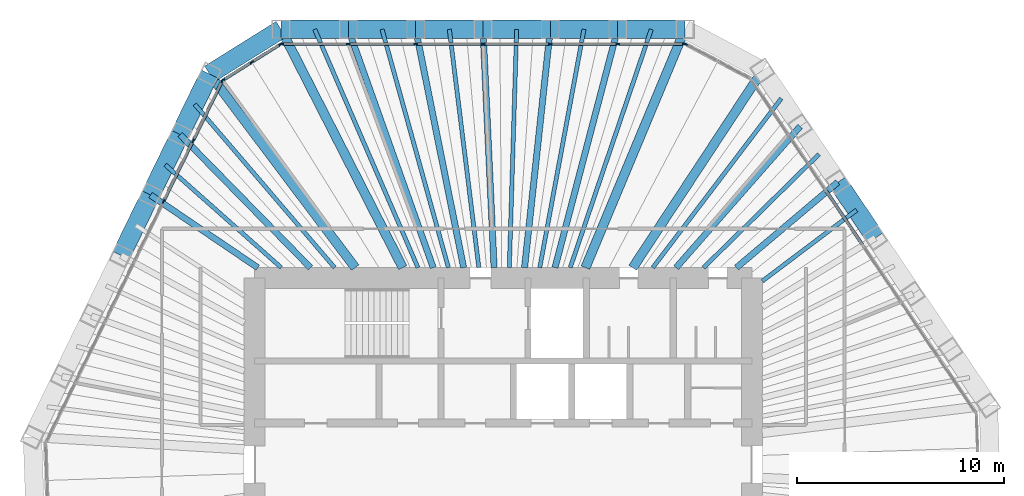
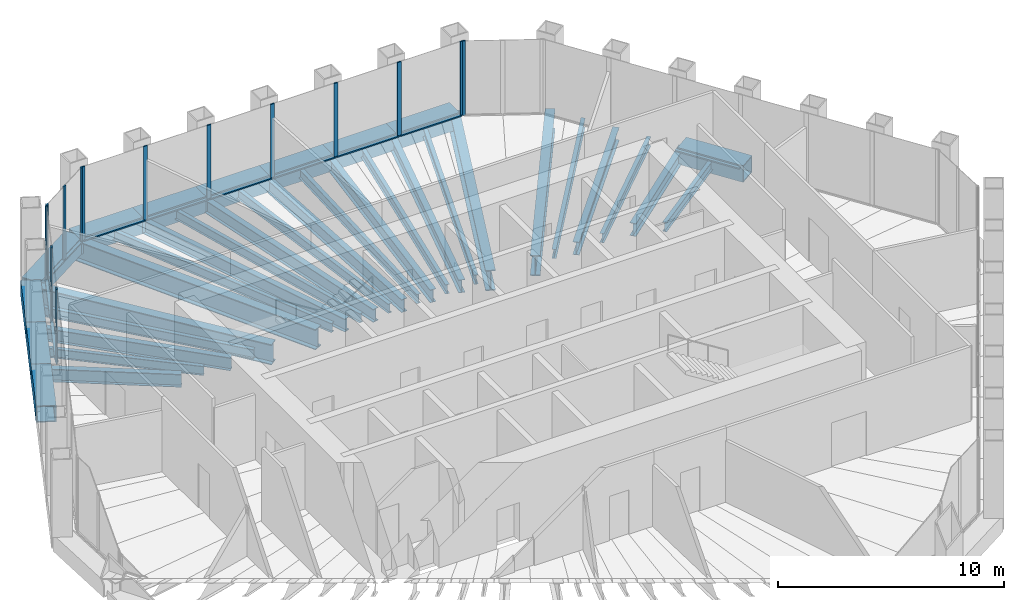
# One storey, part 7 of 14: 35 beams, 25 members, 5 elements without a shape of their own.
"""IFC4 building model written with IfcOpenShell, lengths in metres."""

from ifc_helpers import new_model, si_unit, direction, frame, origin, origin_2d, place, context, subcontext, project, spatial, rectangle, hollow_rectangle, i_section, extrude, material, material_profile, profile_set, type_object, element, aggregate, save


model = new_model("IFC4")

# Units and contexts
model_context = context("Model", 3, precision=1e-05, world=origin(), true_north=direction((0.0, 1.0)))
body_context = subcontext(model_context, "Body", "Model", "MODEL_VIEW")
ifc_project = project(units=[si_unit("LENGTHUNIT", "METRE"), si_unit("AREAUNIT", "SQUARE_METRE"), si_unit("VOLUMEUNIT", "CUBIC_METRE"), si_unit("PLANEANGLEUNIT", "RADIAN"), si_unit("MASSUNIT", "GRAM", prefix="KILO")], contexts=[model_context])

# Site, building, storey
site_placement = place(None, origin())
site = spatial("IfcSite", under=ifc_project, at=site_placement, CompositionType="ELEMENT")
building_placement = place(site_placement, origin())
building = spatial("IfcBuilding", under=site, at=building_placement, Name="Qingtian Harvest Tower", CompositionType="ELEMENT")
storey_placement = place(building_placement, frame((0.0, 0.0, 274.60009765625)))
storey = spatial("IfcBuildingStorey", under=building, at=storey_placement, Name="L60", CompositionType="ELEMENT", Elevation=274.60009765625)

# Beams
ifc_material_1 = material(Name="Steel SM570MC", Category="steel")
ifc_material_profile_1 = material_profile(ifc_material_1, i_section(OverallWidth=0.449951171875, OverallDepth=1.10009765625, WebThickness=0.02197265625, FlangeThickness=0.044921875, at=origin_2d()), Name="H1100x450x22x45")
ifc_profile_set_1 = profile_set([ifc_material_profile_1], Name="Steel SM570MC")
beam_type_1 = type_object("IfcBeamType", Name="Corner floor beam FB8 H1100x450x22x45", PredefinedType="BEAM", material=ifc_profile_set_1)
beam_1_placement = place(storey_placement, frame((-10.72216796875, 21.0, -0.72021484375), z_axis=(0.454730568944, -0.890629052787, 0.0), x_axis=(0.890629052787, 0.454730568944, 0.0)))
element("IfcBeam", 1, at=beam_1_placement, inside=storey, type_object=beam_type_1, Name="Floor beam FB8 N0", PredefinedType="BEAM", context=body_context, shape_type="SweptSolid", body=[
    extrude(i_section(OverallWidth=0.449951171875, OverallDepth=1.10009765625, WebThickness=0.02197265625, FlangeThickness=0.044921875, at=origin_2d()), origin(), (0.0, 0.0, 1.0), 12.912109375),
])
beam_2_placement = place(storey_placement, frame((8.765869140625, 21.0, -0.72021484375), z_axis=(-0.385205133264, -0.922830973313, 0.0), x_axis=(0.922830973313, -0.385205133264, 0.0)))
element("IfcBeam", 2, at=beam_2_placement, inside=storey, type_object=beam_type_1, Name="Floor beam FB8 N6", PredefinedType="BEAM", context=body_context, shape_type="SweptSolid", body=[
    extrude(i_section(OverallWidth=0.449951171875, OverallDepth=1.10009765625, WebThickness=0.02197265625, FlangeThickness=0.044921875, at=origin_2d()), origin(), (0.0, 0.0, 1.0), 12.461669921875),
])
beam_3_placement = place(storey_placement, frame((12.508056640625, 19.01025390625, -0.72021484375), z_axis=(-0.549666916329, -0.835383912398, 0.0), x_axis=(0.835383912398, -0.549666916329, 0.0)))
element("IfcBeam", 3, at=beam_3_placement, inside=storey, type_object=beam_type_1, Name="Floor beam FB8 NE0", PredefinedType="BEAM", context=body_context, shape_type="SweptSolid", body=[
    extrude(i_section(OverallWidth=0.449951171875, OverallDepth=1.10009765625, WebThickness=0.02197265625, FlangeThickness=0.044921875, at=origin_2d()), origin(), (0.0, 0.0, 1.0), 11.38427734375),
])
beam_4_placement = place(storey_placement, frame((-14.17431640625, 18.8427734375, -0.72021484375), z_axis=(0.601148761641, -0.799137138655, 0.0), x_axis=(0.799137138655, 0.601148761641, 0.0)))
element("IfcBeam", 4, at=beam_4_placement, inside=storey, type_object=beam_type_1, Name="Floor beam FB8 NW6", PredefinedType="BEAM", context=body_context, shape_type="SweptSolid", body=[
    extrude(i_section(OverallWidth=0.449951171875, OverallDepth=1.10009765625, WebThickness=0.02197265625, FlangeThickness=0.044921875, at=origin_2d()), origin(), (0.0, 0.0, 1.0), 11.691162109375),
])
ifc_material_2 = material(Name="Steel SN490B", Category="steel")
ifc_material_profile_2 = material_profile(ifc_material_2, i_section(OverallWidth=0.300048828125, OverallDepth=0.699951171875, WebThickness=0.012939453125, FlangeThickness=0.02392578125, at=origin_2d()), Name="H700x300x13x24")
ifc_profile_set_2 = profile_set([ifc_material_profile_2], Name="Steel SN490B")
beam_type_2 = type_object("IfcBeamType", Name="Floor beam FB4 H700x300x13x24", PredefinedType="BEAM", material=ifc_profile_set_2)
beam_5_placement = place(storey_placement, frame((-7.47412109375, 21.0, -0.52001953125), z_axis=(0.335309922571, -0.94210787908, 0.0), x_axis=(0.94210787908, 0.335309922571, 0.0)))
element("IfcBeam", 5, at=beam_5_placement, inside=storey, type_object=beam_type_2, Name="Floor beam FB4 N1", PredefinedType="BEAM", context=body_context, shape_type="SweptSolid", body=[
    extrude(i_section(OverallWidth=0.300048828125, OverallDepth=0.699951171875, WebThickness=0.012939453125, FlangeThickness=0.02392578125, at=origin_2d()), origin(), (0.0, 0.0, 1.0), 12.206787109375),
])
beam_6_placement = place(storey_placement, frame((-4.226318359375, 21.0, -0.52001953125), z_axis=(0.197300692693, -0.980343019898, 0.0), x_axis=(0.980343019898, 0.197300692693, 0.0)))
element("IfcBeam", 6, at=beam_6_placement, inside=storey, type_object=beam_type_2, Name="Floor beam FB4 N2", PredefinedType="BEAM", context=body_context, shape_type="SweptSolid", body=[
    extrude(i_section(OverallWidth=0.300048828125, OverallDepth=0.699951171875, WebThickness=0.012939453125, FlangeThickness=0.02392578125, at=origin_2d()), origin(), (0.0, 0.0, 1.0), 11.73046875),
])
beam_7_placement = place(storey_placement, frame((-0.978271484375, 21.0, -0.52001953125), z_axis=(0.046527342366, -0.99891701678, 0.0), x_axis=(0.99891701678, 0.046527342366, 0.0)))
element("IfcBeam", 7, at=beam_7_placement, inside=storey, type_object=beam_type_2, Name="Floor beam FB4 N3", PredefinedType="BEAM", context=body_context, shape_type="SweptSolid", body=[
    extrude(i_section(OverallWidth=0.300048828125, OverallDepth=0.699951171875, WebThickness=0.012939453125, FlangeThickness=0.02392578125, at=origin_2d()), origin(), (0.0, 0.0, 1.0), 11.512451171875),
])
beam_8_placement = place(storey_placement, frame((2.269775390625, 21.0, -0.52001953125), z_axis=(-0.107454213734, -0.994210034123, 0.0), x_axis=(0.994210034123, -0.107454213734, 0.0)))
element("IfcBeam", 8, at=beam_8_placement, inside=storey, type_object=beam_type_2, Name="Floor beam FB4 N4", PredefinedType="BEAM", context=body_context, shape_type="SweptSolid", body=[
    extrude(i_section(OverallWidth=0.300048828125, OverallDepth=0.699951171875, WebThickness=0.012939453125, FlangeThickness=0.02392578125, at=origin_2d()), origin(), (0.0, 0.0, 1.0), 11.56689453125),
])
beam_9_placement = place(storey_placement, frame((5.517822265625, 21.0, -0.52001953125), z_axis=(-0.254132470973, -0.967169420111, 0.0), x_axis=(0.967169420111, -0.254132470973, 0.0)))
element("IfcBeam", 9, at=beam_9_placement, inside=storey, type_object=beam_type_2, Name="Floor beam FB4 N5", PredefinedType="BEAM", context=body_context, shape_type="SweptSolid", body=[
    extrude(i_section(OverallWidth=0.300048828125, OverallDepth=0.699951171875, WebThickness=0.012939453125, FlangeThickness=0.02392578125, at=origin_2d()), origin(), (0.0, 0.0, 1.0), 11.890380859375),
])
beam_10_placement = place(storey_placement, frame((14.32421875, 16.317626953125, -0.52001953125), z_axis=(-0.659702205655, -0.751527111856, 0.0), x_axis=(0.751527111856, -0.659702205655, 0.0)))
element("IfcBeam", 10, at=beam_10_placement, inside=storey, type_object=beam_type_2, Name="Floor beam FB4 NE1", PredefinedType="BEAM", context=body_context, shape_type="SweptSolid", body=[
    extrude(i_section(OverallWidth=0.300048828125, OverallDepth=0.699951171875, WebThickness=0.012939453125, FlangeThickness=0.02392578125, at=origin_2d()), origin(), (0.0, 0.0, 1.0), 9.07177734375),
])
beam_11_placement = place(storey_placement, frame((16.140625, 13.624755859375, -0.52001953125), z_axis=(-0.764153276603, -0.645034704382, 0.0), x_axis=(0.645034704382, -0.764153276603, 0.0)))
element("IfcBeam", 11, at=beam_11_placement, inside=storey, type_object=beam_type_2, Name="Floor beam FB4 NE2", PredefinedType="BEAM", context=body_context, shape_type="SweptSolid", body=[
    extrude(i_section(OverallWidth=0.300048828125, OverallDepth=0.699951171875, WebThickness=0.012939453125, FlangeThickness=0.02392578125, at=origin_2d()), origin(), (0.0, 0.0, 1.0), 6.39453125),
])
beam_12_placement = place(storey_placement, frame((-17.02197265625, 13.00439453125, -0.52001953125), z_axis=(0.827854296295, -0.560943191514, 0.0), x_axis=(0.560943191514, 0.827854296295, 0.0)))
element("IfcBeam", 12, at=beam_12_placement, inside=storey, type_object=beam_type_2, Name="Floor beam FB4 NW4", PredefinedType="BEAM", context=body_context, shape_type="SweptSolid", body=[
    extrude(i_section(OverallWidth=0.300048828125, OverallDepth=0.699951171875, WebThickness=0.012939453125, FlangeThickness=0.02392578125, at=origin_2d()), origin(), (0.0, 0.0, 1.0), 6.247314453125),
])
beam_13_placement = place(storey_placement, frame((-15.59814453125, 15.923583984375, -0.52001953125), z_axis=(0.699765413715, -0.714372707883, 0.0), x_axis=(0.714372707883, 0.699765413715, 0.0)))
element("IfcBeam", 13, at=beam_13_placement, inside=storey, type_object=beam_type_2, Name="Floor beam FB4 NW5", PredefinedType="BEAM", context=body_context, shape_type="SweptSolid", body=[
    extrude(i_section(OverallWidth=0.300048828125, OverallDepth=0.699951171875, WebThickness=0.012939453125, FlangeThickness=0.02392578125, at=origin_2d()), origin(), (0.0, 0.0, 1.0), 8.991943359375),
])
ifc_material_3 = material(Name="Steel SN490B", Category="steel")
ifc_material_profile_3 = material_profile(ifc_material_3, i_section(OverallWidth=0.199951171875, OverallDepth=0.5, WebThickness=0.010009765625, FlangeThickness=0.01611328125, at=origin_2d()), Name="H500x200x10x16")
ifc_profile_set_3 = profile_set([ifc_material_profile_3], Name="Steel SN490B")
beam_type_3 = type_object("IfcBeamType", Name="Floor joist J3 H500x200x10x16", PredefinedType="JOIST", material=ifc_profile_set_3)
beam_14_placement = place(storey_placement, frame((-9.09814453125, 21.0, -0.420166015625), z_axis=(0.397529807491, -0.917589261138, 0.0), x_axis=(0.917589261138, 0.397529807491, 0.0)))
element("IfcBeam", 14, at=beam_14_placement, inside=storey, type_object=beam_type_3, Name="Floor joist J3 N0", PredefinedType="JOIST", context=body_context, shape_type="SweptSolid", body=[
    extrude(i_section(OverallWidth=0.199951171875, OverallDepth=0.5, WebThickness=0.010009765625, FlangeThickness=0.01611328125, at=origin_2d()), origin(), (0.0, 0.0, 1.0), 12.532958984375),
])
beam_15_placement = place(storey_placement, frame((-5.85009765625, 21.0, -0.420166015625), z_axis=(0.268356818155, -0.963319582563, 0.0), x_axis=(0.963319582563, 0.268356818155, 0.0)))
element("IfcBeam", 15, at=beam_15_placement, inside=storey, type_object=beam_type_3, Name="Floor joist J3 N1", PredefinedType="JOIST", context=body_context, shape_type="SweptSolid", body=[
    extrude(i_section(OverallWidth=0.199951171875, OverallDepth=0.5, WebThickness=0.010009765625, FlangeThickness=0.01611328125, at=origin_2d()), origin(), (0.0, 0.0, 1.0), 11.93798828125),
])
beam_16_placement = place(storey_placement, frame((-2.602294921875, 21.0, -0.420166015625), z_axis=(0.122976702395, -0.992409557929, 0.0), x_axis=(0.992409557929, 0.122976702395, 0.0)))
element("IfcBeam", 16, at=beam_16_placement, inside=storey, type_object=beam_type_3, Name="Floor joist J3 N2", PredefinedType="JOIST", context=body_context, shape_type="SweptSolid", body=[
    extrude(i_section(OverallWidth=0.199951171875, OverallDepth=0.5, WebThickness=0.010009765625, FlangeThickness=0.01611328125, at=origin_2d()), origin(), (0.0, 0.0, 1.0), 11.587890625),
])
beam_17_placement = place(storey_placement, frame((0.645751953125, 21.0, -0.420166015625), z_axis=(-0.030725974878, -0.999527845769, 0.0), x_axis=(0.999527845769, -0.030725974878, 0.0)))
element("IfcBeam", 17, at=beam_17_placement, inside=storey, type_object=beam_type_3, Name="Floor joist J3 N3", PredefinedType="JOIST", context=body_context, shape_type="SweptSolid", body=[
    extrude(i_section(OverallWidth=0.199951171875, OverallDepth=0.5, WebThickness=0.010009765625, FlangeThickness=0.01611328125, at=origin_2d()), origin(), (0.0, 0.0, 1.0), 11.50537109375),
])
beam_18_placement = place(storey_placement, frame((3.893798828125, 21.0, -0.420166015625), z_axis=(-0.182312001941, -0.983240730416, 0.0), x_axis=(0.983240730416, -0.182312001941, 0.0)))
element("IfcBeam", 18, at=beam_18_placement, inside=storey, type_object=beam_type_3, Name="Floor joist J3 N4", PredefinedType="JOIST", context=body_context, shape_type="SweptSolid", body=[
    extrude(i_section(OverallWidth=0.199951171875, OverallDepth=0.5, WebThickness=0.010009765625, FlangeThickness=0.01611328125, at=origin_2d()), origin(), (0.0, 0.0, 1.0), 11.696044921875),
])
beam_19_placement = place(storey_placement, frame((7.141845703125, 21.0, -0.420166015625), z_axis=(-0.321968312345, -0.94675044539, 0.0), x_axis=(0.94675044539, -0.321968312345, 0.0)))
element("IfcBeam", 19, at=beam_19_placement, inside=storey, type_object=beam_type_3, Name="Floor joist J3 N5", PredefinedType="JOIST", context=body_context, shape_type="SweptSolid", body=[
    extrude(i_section(OverallWidth=0.199951171875, OverallDepth=0.5, WebThickness=0.010009765625, FlangeThickness=0.01611328125, at=origin_2d()), origin(), (0.0, 0.0, 1.0), 12.146728515625),
])
beam_20_placement = place(storey_placement, frame((13.416015625, 17.6640625, -0.420166015625), z_axis=(-0.604835675798, -0.796350303122, 0.0), x_axis=(0.796350303122, -0.604835675798, 0.0)))
element("IfcBeam", 20, at=beam_20_placement, inside=storey, type_object=beam_type_3, Name="Floor joist J3 NE0", PredefinedType="JOIST", context=body_context, shape_type="SweptSolid", body=[
    extrude(i_section(OverallWidth=0.199951171875, OverallDepth=0.5, WebThickness=0.010009765625, FlangeThickness=0.01611328125, at=origin_2d()), origin(), (0.0, 0.0, 1.0), 10.251953125),
])
beam_21_placement = place(storey_placement, frame((15.232421875, 14.97119140625, -0.420166015625), z_axis=(-0.713195408707, -0.700965269467, 0.0), x_axis=(0.700965269467, -0.713195408707, 0.0)))
element("IfcBeam", 21, at=beam_21_placement, inside=storey, type_object=beam_type_3, Name="Floor joist J3 NE1", PredefinedType="JOIST", context=body_context, shape_type="SweptSolid", body=[
    extrude(i_section(OverallWidth=0.199951171875, OverallDepth=0.5, WebThickness=0.010009765625, FlangeThickness=0.01611328125, at=origin_2d()), origin(), (0.0, 0.0, 1.0), 7.80517578125),
])
beam_22_placement = place(storey_placement, frame((17.048583984375, 12.278564453125, -0.420166015625), z_axis=(-0.79856269076, -0.601911645448, 0.0), x_axis=(0.601911645448, -0.79856269076, 0.0)))
element("IfcBeam", 22, at=beam_22_placement, inside=storey, type_object=beam_type_3, Name="Floor joist J3 NE2", PredefinedType="JOIST", context=body_context, shape_type="SweptSolid", body=[
    extrude(i_section(OverallWidth=0.199951171875, OverallDepth=0.5, WebThickness=0.010009765625, FlangeThickness=0.01611328125, at=origin_2d()), origin(), (0.0, 0.0, 1.0), 5.696044921875),
])
beam_23_placement = place(storey_placement, frame((-16.31005859375, 14.4638671875, -0.420166015625), z_axis=(0.748179407524, -0.663496476372, 0.0), x_axis=(0.663496476372, 0.748179407524, 0.0)))
element("IfcBeam", 23, at=beam_23_placement, inside=storey, type_object=beam_type_3, Name="Floor joist J3 NW4", PredefinedType="JOIST", context=body_context, shape_type="SweptSolid", body=[
    extrude(i_section(OverallWidth=0.199951171875, OverallDepth=0.5, WebThickness=0.010009765625, FlangeThickness=0.01611328125, at=origin_2d()), origin(), (0.0, 0.0, 1.0), 7.4814453125),
])
beam_24_placement = place(storey_placement, frame((-14.88623046875, 17.38330078125, -0.420166015625), z_axis=(0.650436795804, -0.7595603825, 0.0), x_axis=(0.7595603825, 0.650436795804, 0.0)))
element("IfcBeam", 24, at=beam_24_placement, inside=storey, type_object=beam_type_3, Name="Floor joist J3 NW5", PredefinedType="JOIST", context=body_context, shape_type="SweptSolid", body=[
    extrude(i_section(OverallWidth=0.199951171875, OverallDepth=0.5, WebThickness=0.010009765625, FlangeThickness=0.01611328125, at=origin_2d()), origin(), (0.0, 0.0, 1.0), 10.378662109375),
])

# Curtain wall, members
ifc_material_4 = material(Name="Bronze-anodised aluminium curtain wall", Category="aluminium")
curtain_wall_type = type_object("IfcCurtainWallType", Name="Curtain wall CW5 upper office", PredefinedType="USERDEFINED", material=ifc_material_4)
curtain_wall_1_placement = place(storey_placement, origin())
curtain_wall_1 = element("IfcCurtainWall", 25, at=curtain_wall_1_placement, inside=storey, type_object=curtain_wall_type, Name="Curtain wall CW5 L60 N0-5", ObjectType="RECESSED CURTAIN WALL", PredefinedType="USERDEFINED")
ifc_material_5 = material(Name="Bronze-anodised aluminium mullion", Category="aluminium")
ifc_material_profile_4 = material_profile(ifc_material_5, rectangle(XDim=0.06494140625, YDim=0.199951171875, at=origin_2d()), Name="AL 65x200")
ifc_profile_set_4 = profile_set([ifc_material_profile_4], Name="Bronze-anodised aluminium mullion")
member_type_1 = type_object("IfcMemberType", Name="Mullion CWM 65x200", PredefinedType="MULLION", material=ifc_profile_set_4)
member_1_placement = place(storey_placement, frame((-10.689697265625, 20.300048828125, 0.0), z_axis=(0.0, 0.0, 1.0), x_axis=(0.0, 1.0, 0.0)))
member_1 = element("IfcMember", 26, at=member_1_placement, type_object=member_type_1, Name="CW5 mullion 1", PredefinedType="MULLION", context=body_context, shape_type="SweptSolid", body=[
    extrude(rectangle(XDim=0.06494140625, YDim=0.199951171875, at=origin_2d()), origin(), (0.0, 0.0, 1.0), 4.02978515625),
])
member_2_placement = place(storey_placement, frame((-7.47412109375, 20.300048828125, 0.0), z_axis=(0.0, 0.0, 1.0), x_axis=(0.0, 1.0, 0.0)))
member_2 = element("IfcMember", 27, at=member_2_placement, type_object=member_type_1, Name="CW5 mullion 2", PredefinedType="MULLION", context=body_context, shape_type="SweptSolid", body=[
    extrude(rectangle(XDim=0.06494140625, YDim=0.199951171875, at=origin_2d()), origin(), (0.0, 0.0, 1.0), 4.02978515625),
])
member_3_placement = place(storey_placement, frame((-4.226318359375, 20.300048828125, 0.0), z_axis=(0.0, 0.0, 1.0), x_axis=(0.0, 1.0, 0.0)))
member_3 = element("IfcMember", 28, at=member_3_placement, type_object=member_type_1, Name="CW5 mullion 3", PredefinedType="MULLION", context=body_context, shape_type="SweptSolid", body=[
    extrude(rectangle(XDim=0.06494140625, YDim=0.199951171875, at=origin_2d()), origin(), (0.0, 0.0, 1.0), 4.02978515625),
])
member_4_placement = place(storey_placement, frame((-0.978271484375, 20.300048828125, 0.0), z_axis=(0.0, 0.0, 1.0), x_axis=(0.0, 1.0, 0.0)))
member_4 = element("IfcMember", 29, at=member_4_placement, type_object=member_type_1, Name="CW5 mullion 4", PredefinedType="MULLION", context=body_context, shape_type="SweptSolid", body=[
    extrude(rectangle(XDim=0.06494140625, YDim=0.199951171875, at=origin_2d()), origin(), (0.0, 0.0, 1.0), 4.02978515625),
])
member_5_placement = place(storey_placement, frame((2.269775390625, 20.300048828125, 0.0), z_axis=(0.0, 0.0, 1.0), x_axis=(0.0, 1.0, 0.0)))
member_5 = element("IfcMember", 30, at=member_5_placement, type_object=member_type_1, Name="CW5 mullion 5", PredefinedType="MULLION", context=body_context, shape_type="SweptSolid", body=[
    extrude(rectangle(XDim=0.06494140625, YDim=0.199951171875, at=origin_2d()), origin(), (0.0, 0.0, 1.0), 4.02978515625),
])
member_6_placement = place(storey_placement, frame((5.517822265625, 20.300048828125, 0.0), z_axis=(0.0, 0.0, 1.0), x_axis=(0.0, 1.0, 0.0)))
member_6 = element("IfcMember", 31, at=member_6_placement, type_object=member_type_1, Name="CW5 mullion 6", PredefinedType="MULLION", context=body_context, shape_type="SweptSolid", body=[
    extrude(rectangle(XDim=0.06494140625, YDim=0.199951171875, at=origin_2d()), origin(), (0.0, 0.0, 1.0), 4.02978515625),
])
member_7_placement = place(storey_placement, frame((8.7333984375, 20.300048828125, 0.0), z_axis=(0.0, 0.0, 1.0), x_axis=(0.0, 1.0, 0.0)))
member_7 = element("IfcMember", 32, at=member_7_placement, type_object=member_type_1, Name="CW5 mullion 7", PredefinedType="MULLION", context=body_context, shape_type="SweptSolid", body=[
    extrude(rectangle(XDim=0.06494140625, YDim=0.199951171875, at=origin_2d()), origin(), (0.0, 0.0, 1.0), 4.02978515625),
])

# Curtain wall, member
curtain_wall_2_placement = place(storey_placement, origin())
curtain_wall_2 = element("IfcCurtainWall", 33, at=curtain_wall_2_placement, inside=storey, type_object=curtain_wall_type, Name="Curtain wall CW5 L60 NC", ObjectType="RECESSED CURTAIN WALL", PredefinedType="USERDEFINED")
member_8_placement = place(storey_placement, frame((8.794677734375, 20.28466796875, 0.0), z_axis=(0.0, 0.0, 1.0), x_axis=(0.469471562786, 0.882947592859, 0.0)))
member_8 = element("IfcMember", 34, at=member_8_placement, type_object=member_type_1, Name="CW5 mullion 1", PredefinedType="MULLION", context=body_context, shape_type="SweptSolid", body=[
    extrude(rectangle(XDim=0.06494140625, YDim=0.199951171875, at=origin_2d()), origin(), (0.0, 0.0, 1.0), 4.02978515625),
])
aggregate(curtain_wall_2, [member_8])

# Curtain wall, members
curtain_wall_3_placement = place(storey_placement, origin())
curtain_wall_3 = element("IfcCurtainWall", 35, at=curtain_wall_3_placement, inside=storey, type_object=curtain_wall_type, Name="Curtain wall CW5 L60 NW0-5", ObjectType="RECESSED CURTAIN WALL", PredefinedType="USERDEFINED")
member_9_placement = place(storey_placement, frame((-16.392822265625, 12.697509765625, 0.0), z_axis=(0.0, 0.0, 1.0), x_axis=(-0.898794046299, 0.438371146789, 0.0)))
member_9 = element("IfcMember", 36, at=member_9_placement, type_object=member_type_1, Name="CW5 mullion 5", PredefinedType="MULLION", context=body_context, shape_type="SweptSolid", body=[
    extrude(rectangle(XDim=0.06494140625, YDim=0.199951171875, at=origin_2d()), origin(), (0.0, 0.0, 1.0), 4.02978515625),
])
member_10_placement = place(storey_placement, frame((-14.968994140625, 15.61669921875, 0.0), z_axis=(0.0, 0.0, 1.0), x_axis=(-0.898794046299, 0.438371146789, 0.0)))
member_10 = element("IfcMember", 37, at=member_10_placement, type_object=member_type_1, Name="CW5 mullion 6", PredefinedType="MULLION", context=body_context, shape_type="SweptSolid", body=[
    extrude(rectangle(XDim=0.06494140625, YDim=0.199951171875, at=origin_2d()), origin(), (0.0, 0.0, 1.0), 4.02978515625),
])
member_11_placement = place(storey_placement, frame((-13.559326171875, 18.5068359375, 0.0), z_axis=(0.0, 0.0, 1.0), x_axis=(-0.898794046299, 0.438371146789, 0.0)))
member_11 = element("IfcMember", 38, at=member_11_placement, type_object=member_type_1, Name="CW5 mullion 7", PredefinedType="MULLION", context=body_context, shape_type="SweptSolid", body=[
    extrude(rectangle(XDim=0.06494140625, YDim=0.199951171875, at=origin_2d()), origin(), (0.0, 0.0, 1.0), 4.02978515625),
])

curtain_wall_4_placement = place(storey_placement, origin())
curtain_wall_4 = element("IfcCurtainWall", 39, at=curtain_wall_4_placement, inside=storey, type_object=curtain_wall_type, Name="Curtain wall CW5 L60 NWC", ObjectType="RECESSED CURTAIN WALL", PredefinedType="USERDEFINED")
member_12_placement = place(storey_placement, frame((-13.517578125, 18.55322265625, 0.0), z_axis=(0.0, 0.0, 1.0), x_axis=(-0.529919264233, 0.848048096156, 0.0)))
member_12 = element("IfcMember", 40, at=member_12_placement, type_object=member_type_1, Name="CW5 mullion 1", PredefinedType="MULLION", context=body_context, shape_type="SweptSolid", body=[
    extrude(rectangle(XDim=0.06494140625, YDim=0.199951171875, at=origin_2d()), origin(), (0.0, 0.0, 1.0), 4.02978515625),
])
member_13_placement = place(storey_placement, frame((-12.1337890625, 19.41796875, 0.0), z_axis=(0.0, 0.0, 1.0), x_axis=(-0.529919264233, 0.848048096156, 0.0)))
member_13 = element("IfcMember", 41, at=member_13_placement, type_object=member_type_1, Name="CW5 mullion 2", PredefinedType="MULLION", context=body_context, shape_type="SweptSolid", body=[
    extrude(rectangle(XDim=0.06494140625, YDim=0.199951171875, at=origin_2d()), origin(), (0.0, 0.0, 1.0), 4.02978515625),
])
member_14_placement = place(storey_placement, frame((-10.749755859375, 20.28271484375, 0.0), z_axis=(0.0, 0.0, 1.0), x_axis=(-0.529919264233, 0.848048096156, 0.0)))
member_14 = element("IfcMember", 42, at=member_14_placement, type_object=member_type_1, Name="CW5 mullion 3", PredefinedType="MULLION", context=body_context, shape_type="SweptSolid", body=[
    extrude(rectangle(XDim=0.06494140625, YDim=0.199951171875, at=origin_2d()), origin(), (0.0, 0.0, 1.0), 4.02978515625),
])

# Beams
ifc_material_6 = material(Name="Steel SM570MC", Category="steel")
ifc_material_profile_5 = material_profile(ifc_material_6, hollow_rectangle(XDim=0.89990234375, YDim=0.89990234375, WallThickness=0.050048828125, at=origin_2d()), Name="BOX900x900x50")
ifc_profile_set_5 = profile_set([ifc_material_profile_5], Name="Steel SM570MC")
beam_type_4 = type_object("IfcBeamType", Name="Transition spandrel SB6 BOX900x900x50", PredefinedType="SPANDREL", material=ifc_profile_set_5)
beam_25_placement = place(storey_placement, frame((-10.72216796875, 21.0, -0.4501953125), z_axis=(1.0, 0.0, 0.0), x_axis=(0.0, 1.0, 0.0)))
element("IfcBeam", 43, at=beam_25_placement, inside=storey, type_object=beam_type_4, Name="Spandrel SB6 N0", PredefinedType="SPANDREL", context=body_context, shape_type="SweptSolid", body=[
    extrude(hollow_rectangle(XDim=0.89990234375, YDim=0.89990234375, WallThickness=0.050048828125, at=origin_2d()), origin(), (0.0, 0.0, 1.0), 3.248046875),
])
beam_26_placement = place(storey_placement, frame((-7.47412109375, 21.0, -0.4501953125), z_axis=(1.0, 0.0, 0.0), x_axis=(0.0, 1.0, 0.0)))
element("IfcBeam", 44, at=beam_26_placement, inside=storey, type_object=beam_type_4, Name="Spandrel SB6 N1", PredefinedType="SPANDREL", context=body_context, shape_type="SweptSolid", body=[
    extrude(hollow_rectangle(XDim=0.89990234375, YDim=0.89990234375, WallThickness=0.050048828125, at=origin_2d()), origin(), (0.0, 0.0, 1.0), 3.247802734375),
])
for number, where, z_axis, x_axis, name in (
    (45, (-4.226318359375, 21.0, -0.4501953125), (1.0, 0.0, 0.0), (0.0, 1.0, 0.0), "Spandrel SB6 N2"),
    (46, (-0.978271484375, 21.0, -0.4501953125), (1.0, 0.0, 0.0), (0.0, 1.0, 0.0), "Spandrel SB6 N3"),
    (47, (2.269775390625, 21.0, -0.4501953125), (1.0, 0.0, 0.0), (0.0, 1.0, 0.0), "Spandrel SB6 N4"),
    (48, (5.517822265625, 21.0, -0.4501953125), (1.0, 0.0, 0.0), (0.0, 1.0, 0.0), "Spandrel SB6 N5"),
):
    element("IfcBeam", number, at=place(storey_placement, frame(where, z_axis=z_axis, x_axis=x_axis)), inside=storey, type_object=beam_type_4, Name=name, PredefinedType="SPANDREL", context=body_context, shape_type="SweptSolid", body=[
        extrude(hollow_rectangle(XDim=0.89990234375, YDim=0.89990234375, WallThickness=0.050048828125, at=origin_2d()), origin(), (0.0, 0.0, 1.0), 3.248046875),
    ])
beam_27_placement = place(storey_placement, frame((16.140625, 13.624755859375, -0.4501953125), z_axis=(0.559184924833, -0.829042954158, 0.0), x_axis=(0.829042954158, 0.559184924833, 0.0)))
element("IfcBeam", 49, at=beam_27_placement, inside=storey, type_object=beam_type_4, Name="Spandrel SB6 NE2", PredefinedType="SPANDREL", context=body_context, shape_type="SweptSolid", body=[
    extrude(hollow_rectangle(XDim=0.89990234375, YDim=0.89990234375, WallThickness=0.050048828125, at=origin_2d()), origin(), (0.0, 0.0, 1.0), 3.247802734375),
])
beam_28_placement = place(storey_placement, frame((-18.44580078125, 10.0849609375, -0.4501953125), z_axis=(0.438352548749, 0.898803116931, 0.0), x_axis=(-0.898803116931, 0.438352548749, 0.0)))
element("IfcBeam", 50, at=beam_28_placement, inside=storey, type_object=beam_type_4, Name="Spandrel SB6 NW3", PredefinedType="SPANDREL", context=body_context, shape_type="SweptSolid", body=[
    extrude(hollow_rectangle(XDim=0.89990234375, YDim=0.89990234375, WallThickness=0.050048828125, at=origin_2d()), origin(), (0.0, 0.0, 1.0), 3.248046875),
])
for number, where, z_axis, x_axis, name in (
    (51, (-17.02197265625, 13.00439453125, -0.4501953125), (0.438382164311, 0.898788672611, 0.0), (-0.898788672611, 0.438382164311, 0.0), "Spandrel SB6 NW4"),
    (52, (-15.59814453125, 15.923583984375, -0.4501953125), (0.438382164311, 0.898788672611, 0.0), (-0.898788672611, 0.438382164311, 0.0), "Spandrel SB6 NW5"),
):
    element("IfcBeam", number, at=place(storey_placement, frame(where, z_axis=z_axis, x_axis=x_axis)), inside=storey, type_object=beam_type_4, Name=name, PredefinedType="SPANDREL", context=body_context, shape_type="SweptSolid", body=[
        extrude(hollow_rectangle(XDim=0.89990234375, YDim=0.89990234375, WallThickness=0.050048828125, at=origin_2d()), origin(), (0.0, 0.0, 1.0), 3.247802734375),
    ])
beam_29_placement = place(storey_placement, frame((-14.17431640625, 18.8427734375, -0.4501953125), z_axis=(0.848038733752, 0.529934246919, 0.0), x_axis=(-0.529934246919, 0.848038733752, 0.0)))
element("IfcBeam", 53, at=beam_29_placement, inside=storey, type_object=beam_type_4, Name="Spandrel SB6 NWC", PredefinedType="SPANDREL", context=body_context, shape_type="SweptSolid", body=[
    extrude(hollow_rectangle(XDim=0.89990234375, YDim=0.89990234375, WallThickness=0.050048828125, at=origin_2d()), origin(), (0.0, 0.0, 1.0), 4.07080078125),
])

# Member
ifc_material_7 = material(Name="Bronze-anodised aluminium transom", Category="aluminium")
ifc_material_profile_6 = material_profile(ifc_material_7, rectangle(XDim=0.14990234375, YDim=0.06494140625, at=origin_2d()), Name="AL 65x150")
ifc_profile_set_6 = profile_set([ifc_material_profile_6], Name="Bronze-anodised aluminium transom")
member_type_2 = type_object("IfcMemberType", Name="Transom CWT 65x150", PredefinedType="USERDEFINED", material=ifc_profile_set_6)
member_15_placement = place(storey_placement, frame((-10.6572265625, 20.300048828125, 0.032470703125), z_axis=(1.0, 0.0, 0.0), x_axis=(0.0, 1.0, 0.0)))
member_15 = element("IfcMember", 54, at=member_15_placement, type_object=member_type_2, Name="CW5 transom 1.1", ObjectType="TRANSOM", PredefinedType="USERDEFINED", context=body_context, shape_type="SweptSolid", body=[
    extrude(rectangle(XDim=0.14990234375, YDim=0.06494140625, at=origin_2d()), origin(), (0.0, 0.0, 1.0), 3.150390625),
])

member_16_placement = place(storey_placement, frame((-7.441650390625, 20.300048828125, 0.032470703125), z_axis=(1.0, 0.0, 0.0), x_axis=(0.0, 1.0, 0.0)))
member_16 = element("IfcMember", 55, at=member_16_placement, type_object=member_type_2, Name="CW5 transom 2.1", ObjectType="TRANSOM", PredefinedType="USERDEFINED", context=body_context, shape_type="SweptSolid", body=[
    extrude(rectangle(XDim=0.14990234375, YDim=0.06494140625, at=origin_2d()), origin(), (0.0, 0.0, 1.0), 3.182861328125),
])

member_17_placement = place(storey_placement, frame((-4.193603515625, 20.300048828125, 0.032470703125), z_axis=(1.0, 0.0, 0.0), x_axis=(0.0, 1.0, 0.0)))
member_17 = element("IfcMember", 56, at=member_17_placement, type_object=member_type_2, Name="CW5 transom 3.1", ObjectType="TRANSOM", PredefinedType="USERDEFINED", context=body_context, shape_type="SweptSolid", body=[
    extrude(rectangle(XDim=0.14990234375, YDim=0.06494140625, at=origin_2d()), origin(), (0.0, 0.0, 1.0), 3.182861328125),
])

member_18_placement = place(storey_placement, frame((-0.94580078125, 20.300048828125, 0.032470703125), z_axis=(1.0, 0.0, 0.0), x_axis=(0.0, 1.0, 0.0)))
member_18 = element("IfcMember", 57, at=member_18_placement, type_object=member_type_2, Name="CW5 transom 4.1", ObjectType="TRANSOM", PredefinedType="USERDEFINED", context=body_context, shape_type="SweptSolid", body=[
    extrude(rectangle(XDim=0.14990234375, YDim=0.06494140625, at=origin_2d()), origin(), (0.0, 0.0, 1.0), 3.18310546875),
])

member_19_placement = place(storey_placement, frame((2.30224609375, 20.300048828125, 0.032470703125), z_axis=(1.0, 0.0, 0.0), x_axis=(0.0, 1.0, 0.0)))
member_19 = element("IfcMember", 58, at=member_19_placement, type_object=member_type_2, Name="CW5 transom 5.1", ObjectType="TRANSOM", PredefinedType="USERDEFINED", context=body_context, shape_type="SweptSolid", body=[
    extrude(rectangle(XDim=0.14990234375, YDim=0.06494140625, at=origin_2d()), origin(), (0.0, 0.0, 1.0), 3.18310546875),
])

member_20_placement = place(storey_placement, frame((5.55029296875, 20.300048828125, 0.032470703125), z_axis=(1.0, 0.0, 0.0), x_axis=(0.0, 1.0, 0.0)))
member_20 = element("IfcMember", 59, at=member_20_placement, type_object=member_type_2, Name="CW5 transom 6.1", ObjectType="TRANSOM", PredefinedType="USERDEFINED", context=body_context, shape_type="SweptSolid", body=[
    extrude(rectangle(XDim=0.14990234375, YDim=0.06494140625, at=origin_2d()), origin(), (0.0, 0.0, 1.0), 3.150634765625),
])

aggregate(curtain_wall_1, [member_1, member_2, member_3, member_4, member_5, member_6, member_7, member_15, member_16, member_17, member_18, member_19, member_20])

# Curtain wall, member
curtain_wall_5_placement = place(storey_placement, origin())
curtain_wall_5 = element("IfcCurtainWall", 60, at=curtain_wall_5_placement, inside=storey, type_object=curtain_wall_type, Name="Curtain wall CW5 L60 NE0-5", ObjectType="RECESSED CURTAIN WALL", PredefinedType="USERDEFINED")
member_21_placement = place(storey_placement, frame((15.578369140625, 13.20654296875, 0.032470703125), z_axis=(0.55920542009, -0.829029129852, 0.0), x_axis=(0.829029129852, 0.55920542009, 0.0)))
member_21 = element("IfcMember", 61, at=member_21_placement, type_object=member_type_2, Name="CW5 transom 3.1", ObjectType="TRANSOM", PredefinedType="USERDEFINED", context=body_context, shape_type="SweptSolid", body=[
    extrude(rectangle(XDim=0.14990234375, YDim=0.06494140625, at=origin_2d()), origin(), (0.0, 0.0, 1.0), 3.18310546875),
])
aggregate(curtain_wall_5, [member_21])

# Member
member_22_placement = place(storey_placement, frame((-16.378662109375, 12.7265625, 0.032470703125), z_axis=(0.438355626738, 0.898801615768, 0.0), x_axis=(-0.898801615768, 0.438355626738, 0.0)))
member_22 = element("IfcMember", 62, at=member_22_placement, type_object=member_type_2, Name="CW5 transom 5.1", ObjectType="TRANSOM", PredefinedType="USERDEFINED", context=body_context, shape_type="SweptSolid", body=[
    extrude(rectangle(XDim=0.14990234375, YDim=0.06494140625, at=origin_2d()), origin(), (0.0, 0.0, 1.0), 3.182861328125),
])

member_23_placement = place(storey_placement, frame((-14.954833984375, 15.64599609375, 0.032470703125), z_axis=(0.438388515075, 0.898785575012, 0.0), x_axis=(-0.898785575012, 0.438388515075, 0.0)))
member_23 = element("IfcMember", 63, at=member_23_placement, type_object=member_type_2, Name="CW5 transom 6.1", ObjectType="TRANSOM", PredefinedType="USERDEFINED", context=body_context, shape_type="SweptSolid", body=[
    extrude(rectangle(XDim=0.14990234375, YDim=0.06494140625, at=origin_2d()), origin(), (0.0, 0.0, 1.0), 3.150390625),
])

aggregate(curtain_wall_3, [member_9, member_10, member_11, member_22, member_23])

member_24_placement = place(storey_placement, frame((-13.489990234375, 18.570556640625, 0.032470703125), z_axis=(0.848015812303, 0.529970925697, 0.0), x_axis=(-0.529970925697, 0.848015812303, 0.0)))
member_24 = element("IfcMember", 64, at=member_24_placement, type_object=member_type_2, Name="CW5 transom 1.1", ObjectType="TRANSOM", PredefinedType="USERDEFINED", context=body_context, shape_type="SweptSolid", body=[
    extrude(rectangle(XDim=0.14990234375, YDim=0.06494140625, at=origin_2d()), origin(), (0.0, 0.0, 1.0), 1.566650390625),
])

member_25_placement = place(storey_placement, frame((-12.106201171875, 19.435302734375, 0.032470703125), z_axis=(0.848059570903, 0.529900900357, 0.0), x_axis=(-0.529900900357, 0.848059570903, 0.0)))
member_25 = element("IfcMember", 65, at=member_25_placement, type_object=member_type_2, Name="CW5 transom 2.1", ObjectType="TRANSOM", PredefinedType="USERDEFINED", context=body_context, shape_type="SweptSolid", body=[
    extrude(rectangle(XDim=0.14990234375, YDim=0.06494140625, at=origin_2d()), origin(), (0.0, 0.0, 1.0), 1.56689453125),
])

aggregate(curtain_wall_4, [member_12, member_13, member_14, member_24, member_25])

save(model, "model.ifc")
